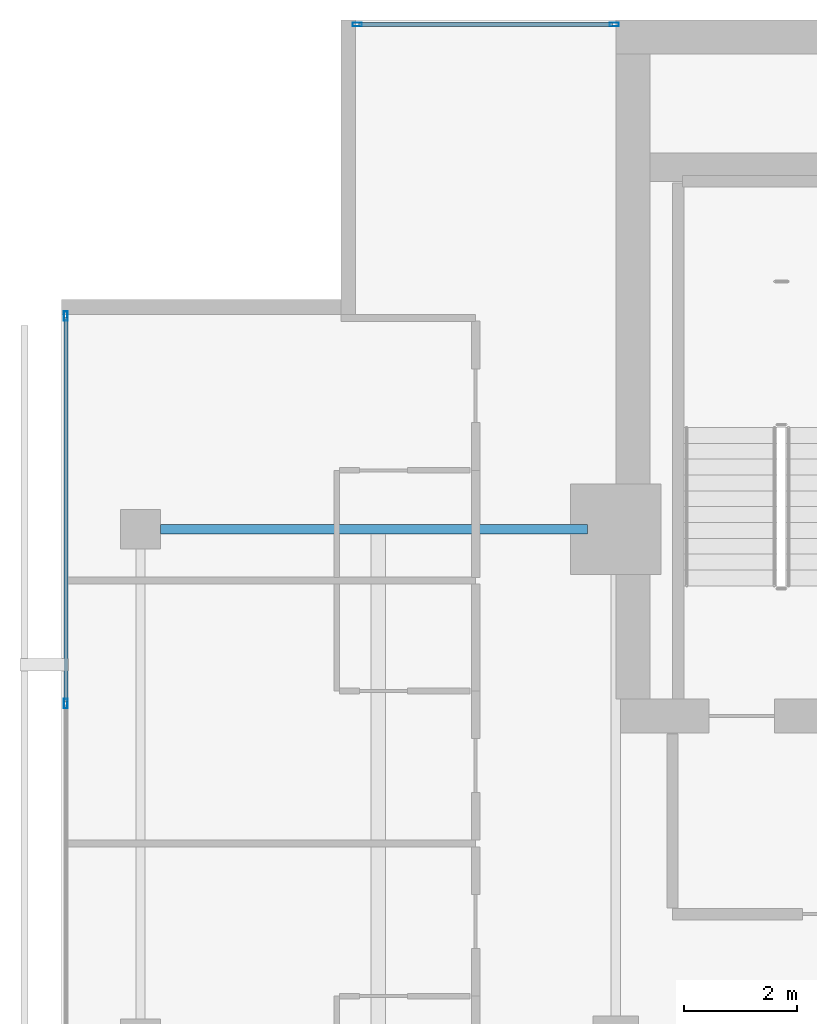
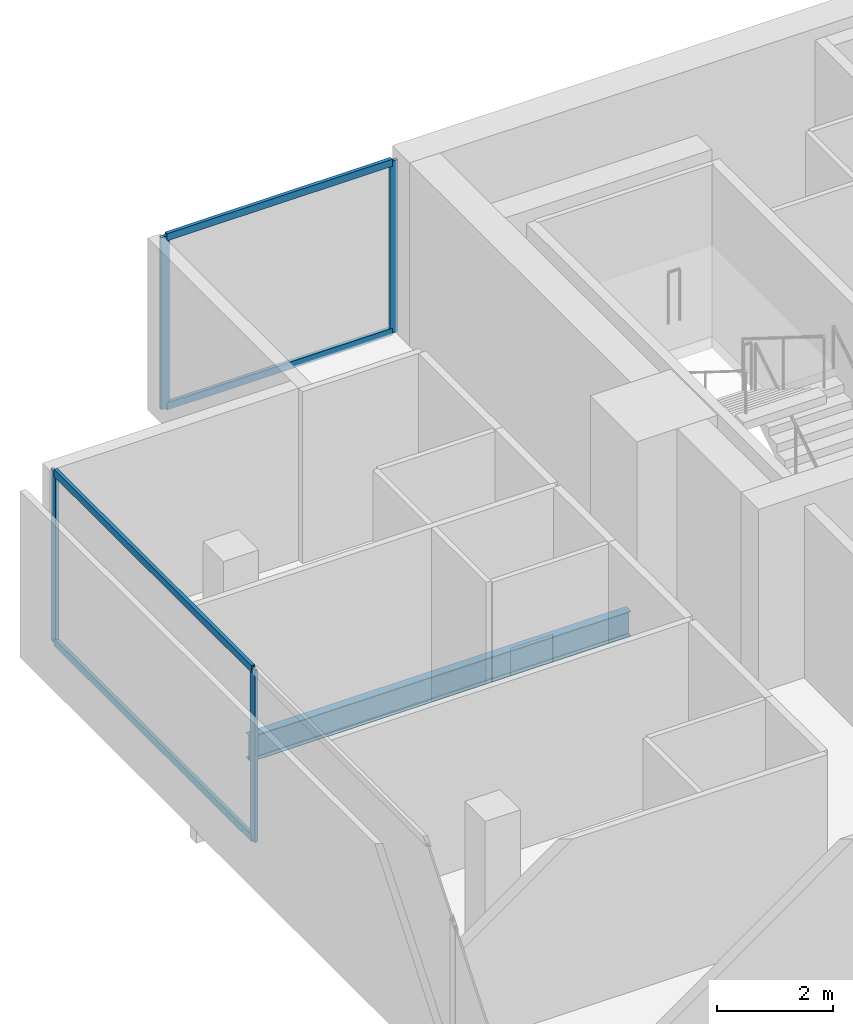
# One storey, part 16 of 26: 8 members, 1 beam, 2 elements without a shape of their own.
"""IFC4 building model written with IfcOpenShell, lengths in metres."""

from ifc_helpers import new_model, si_unit, direction, frame, origin, origin_2d, place, context, subcontext, project, spatial, hollow_rectangle, i_section, extrude, material, layer, layer_set, material_profile, profile_set, type_object, element, aggregate, save


model = new_model("IFC4")

# Units and contexts
model_context = context("Model", 3, precision=1e-05, world=origin(), true_north=direction((0.0, 1.0)))
body_context = subcontext(model_context, "Body", "Model", "MODEL_VIEW")
ifc_project = project(units=[si_unit("LENGTHUNIT", "METRE"), si_unit("AREAUNIT", "SQUARE_METRE"), si_unit("VOLUMEUNIT", "CUBIC_METRE"), si_unit("PLANEANGLEUNIT", "RADIAN"), si_unit("MASSUNIT", "GRAM", prefix="KILO")], contexts=[model_context])

# Site, building, storey
site_placement = place(None, origin())
site = spatial("IfcSite", under=ifc_project, at=site_placement, CompositionType="ELEMENT")
building_placement = place(site_placement, origin())
building = spatial("IfcBuilding", under=site, at=building_placement, Name="Maruvema Waterfront Hotel and Observation Tower", CompositionType="ELEMENT")
storey_placement = place(building_placement, frame((0.0, 0.0, 285.60009765625)))
storey = spatial("IfcBuildingStorey", under=building, at=storey_placement, Name="L70", CompositionType="ELEMENT", Elevation=285.60009765625)

# Curtain wall, members
ifc_material_1 = material(Name="Anodised bronze aluminium and solar-control low-E IGU", Category="aluminium")
ifc_layer = layer(ifc_material_1, 0.159912109375, Name="Zone 3 Champagne Inner Thermal Curtain Wall System CW-04")
ifc_layer_set = layer_set([ifc_layer], Name="Anodised bronze aluminium and solar-control low-E IGU")
curtain_wall_type = type_object("IfcCurtainWallType", Name="Zone 3 Champagne Inner Thermal Curtain Wall System CW-04", PredefinedType="USERDEFINED", material=ifc_layer_set)
curtain_wall_1_placement = place(storey_placement, origin())
curtain_wall_1 = element("IfcCurtainWall", 1, at=curtain_wall_1_placement, inside=storey, type_object=curtain_wall_type, Name="L70 Curtain Wall CW-L70-W", ObjectType="UNITISED CURTAIN WALL", PredefinedType="USERDEFINED")
ifc_material_2 = material(Name="Anodised architectural bronze aluminium", Category="aluminium")
ifc_material_profile_1 = material_profile(ifc_material_2, hollow_rectangle(XDim=0.070068359375, YDim=0.14990234375, WallThickness=0.00390625, at=origin_2d()), Name="ALU-T70x150")
ifc_profile_set_1 = profile_set([ifc_material_profile_1], Name="Anodised architectural bronze aluminium")
member_type_1 = type_object("IfcMemberType", Name="Curtain Wall Horizontal Transom ALU-T70x150", PredefinedType="USERDEFINED", material=ifc_profile_set_1)
member_1_placement = place(storey_placement, frame((15.47998046875, 48.739990234375, 0.02978515625), z_axis=(0.0, -1.0, 0.0), x_axis=(1.0, 0.0, 0.0)))
member_1 = element("IfcMember", 2, at=member_1_placement, type_object=member_type_1, Name="CW-04 transom 1.1", ObjectType="TRANSOM", PredefinedType="USERDEFINED", context=body_context, shape_type="SweptSolid", body=[
    extrude(hollow_rectangle(XDim=0.070068359375, YDim=0.14990234375, WallThickness=0.00390625, at=origin_2d()), origin(), (0.0, 0.0, 1.0), 6.7900390625),
])
member_2_placement = place(storey_placement, frame((15.47998046875, 48.739990234375, 3.579833984375), z_axis=(0.0, -1.0, 0.0), x_axis=(1.0, 0.0, 0.0)))
member_2 = element("IfcMember", 3, at=member_2_placement, type_object=member_type_1, Name="CW-04 transom 1.2", ObjectType="TRANSOM", PredefinedType="USERDEFINED", context=body_context, shape_type="SweptSolid", body=[
    extrude(hollow_rectangle(XDim=0.070068359375, YDim=0.14990234375, WallThickness=0.00390625, at=origin_2d()), origin(), (0.0, 0.0, 1.0), 6.7900390625),
])

curtain_wall_2_placement = place(storey_placement, origin())
curtain_wall_2 = element("IfcCurtainWall", 4, at=curtain_wall_2_placement, inside=storey, type_object=curtain_wall_type, Name="L70 Curtain Wall CW-L70-NW", ObjectType="UNITISED CURTAIN WALL", PredefinedType="USERDEFINED")
member_3_placement = place(storey_placement, frame((25.139892578125, 53.919921875, 0.02978515625), z_axis=(-1.0, 0.0, 0.0), x_axis=(0.0, -1.0, 0.0)))
member_3 = element("IfcMember", 5, at=member_3_placement, type_object=member_type_1, Name="CW-04 transom 1.1", ObjectType="TRANSOM", PredefinedType="USERDEFINED", context=body_context, shape_type="SweptSolid", body=[
    extrude(hollow_rectangle(XDim=0.070068359375, YDim=0.14990234375, WallThickness=0.00390625, at=origin_2d()), origin(), (0.0, 0.0, 1.0), 4.47998046875),
])
member_4_placement = place(storey_placement, frame((25.139892578125, 53.919921875, 3.579833984375), z_axis=(-1.0, 0.0, 0.0), x_axis=(0.0, -1.0, 0.0)))
member_4 = element("IfcMember", 6, at=member_4_placement, type_object=member_type_1, Name="CW-04 transom 1.2", ObjectType="TRANSOM", PredefinedType="USERDEFINED", context=body_context, shape_type="SweptSolid", body=[
    extrude(hollow_rectangle(XDim=0.070068359375, YDim=0.14990234375, WallThickness=0.00390625, at=origin_2d()), origin(), (0.0, 0.0, 1.0), 4.47998046875),
])

# Member
ifc_material_3 = material(Name="Anodised architectural bronze aluminium", Category="aluminium")
ifc_material_profile_2 = material_profile(ifc_material_3, hollow_rectangle(XDim=0.06494140625, YDim=0.1650390625, WallThickness=0.00390625, at=origin_2d()), Name="ALU-M65x165")
ifc_profile_set_2 = profile_set([ifc_material_profile_2], Name="Anodised architectural bronze aluminium")
member_type_2 = type_object("IfcMemberType", Name="Curtain Wall Primary Mullion ALU-M65x165", PredefinedType="MULLION", material=ifc_profile_set_2)
member_5_placement = place(storey_placement, frame((15.47998046875, 48.77001953125, 0.0), z_axis=(0.0, 0.0, 1.0), x_axis=(1.0, 0.0, 0.0)))
member_5 = element("IfcMember", 7, at=member_5_placement, type_object=member_type_2, Name="CW-04 mullion 1", PredefinedType="MULLION", context=body_context, shape_type="SweptSolid", body=[
    extrude(hollow_rectangle(XDim=0.06494140625, YDim=0.1650390625, WallThickness=0.00390625, at=origin_2d()), origin(), (0.0, 0.0, 1.0), 3.60986328125),
])

member_6_placement = place(storey_placement, frame((15.47998046875, 41.919921875, 0.0), z_axis=(0.0, 0.0, 1.0), x_axis=(1.0, 0.0, 0.0)))
member_6 = element("IfcMember", 8, at=member_6_placement, type_object=member_type_2, Name="CW-04 mullion 2", PredefinedType="MULLION", context=body_context, shape_type="SweptSolid", body=[
    extrude(hollow_rectangle(XDim=0.06494140625, YDim=0.1650390625, WallThickness=0.00390625, at=origin_2d()), origin(), (0.0, 0.0, 1.0), 3.60986328125),
])

aggregate(curtain_wall_1, [member_5, member_6, member_1, member_2])

member_7_placement = place(storey_placement, frame((25.169921875, 53.919921875, 0.0), z_axis=(0.0, 0.0, 1.0), x_axis=(0.0, -1.0, 0.0)))
member_7 = element("IfcMember", 9, at=member_7_placement, type_object=member_type_2, Name="CW-04 mullion 1", PredefinedType="MULLION", context=body_context, shape_type="SweptSolid", body=[
    extrude(hollow_rectangle(XDim=0.06494140625, YDim=0.1650390625, WallThickness=0.00390625, at=origin_2d()), origin(), (0.0, 0.0, 1.0), 3.60986328125),
])

member_8_placement = place(storey_placement, frame((20.6298828125, 53.919921875, 0.0), z_axis=(0.0, 0.0, 1.0), x_axis=(0.0, -1.0, 0.0)))
member_8 = element("IfcMember", 10, at=member_8_placement, type_object=member_type_2, Name="CW-04 mullion 2", PredefinedType="MULLION", context=body_context, shape_type="SweptSolid", body=[
    extrude(hollow_rectangle(XDim=0.06494140625, YDim=0.1650390625, WallThickness=0.00390625, at=origin_2d()), origin(), (0.0, 0.0, 1.0), 3.60986328125),
])

aggregate(curtain_wall_2, [member_7, member_8, member_3, member_4])

# Beam
ifc_material_4 = material(Name="Steel ASTM A572 Grade 50", Category="steel")
ifc_material_profile_3 = material_profile(ifc_material_4, i_section(OverallWidth=0.166015625, OverallDepth=0.529052734375, WebThickness=0.009765625, FlangeThickness=0.013671875, FilletRadius=0.014892578125, at=origin_2d()), Name="W530x74.0")
ifc_profile_set_3 = profile_set([ifc_material_profile_3], Name="Steel ASTM A572 Grade 50")
beam_type = type_object("IfcBeamType", Name="Primary Floor Girder W530x74.0", PredefinedType="BEAM", material=ifc_profile_set_3)
beam_placement = place(storey_placement, frame((17.14990234375, 45.0, -0.504638671875), z_axis=(1.0, 0.0, 0.0), x_axis=(0.0, 1.0, 0.0)))
element("IfcBeam", 11, at=beam_placement, inside=storey, type_object=beam_type, Name="L70 Floor Girder EW-17", PredefinedType="BEAM", context=body_context, shape_type="SweptSolid", body=[
    extrude(i_section(OverallWidth=0.166015625, OverallDepth=0.529052734375, WebThickness=0.009765625, FlangeThickness=0.013671875, FilletRadius=0.014892578125, at=origin_2d()), origin(), (0.0, 0.0, 1.0), 7.550048828125),
])

save(model, "model.ifc")
